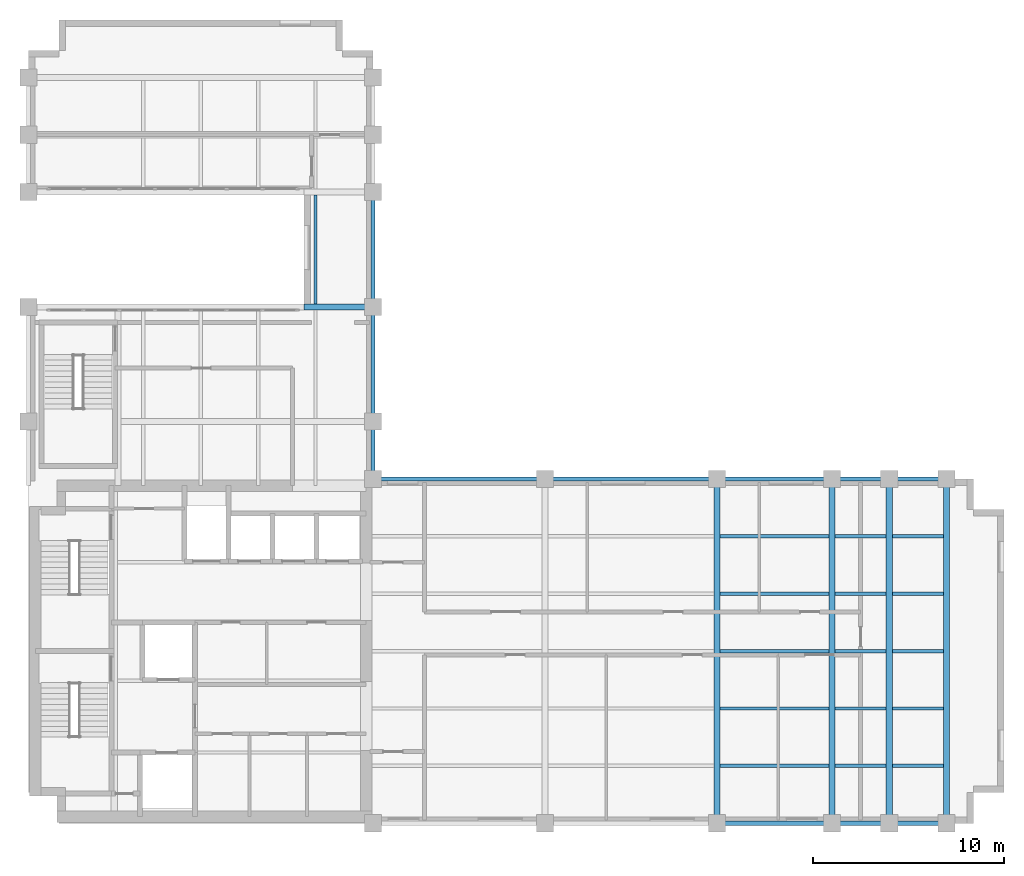
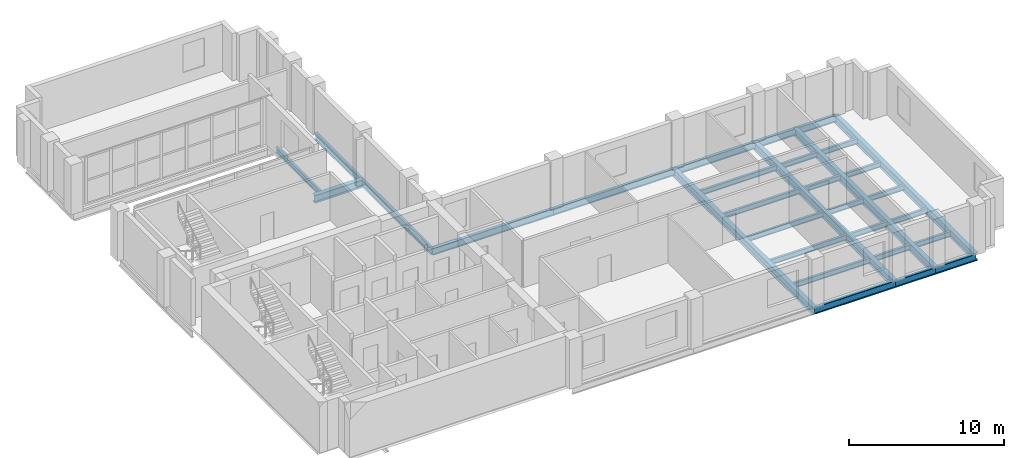
# One storey, part 3 of 9: 32 beams.
"""IFC4 building model written with IfcOpenShell, lengths in metres."""

from ifc_helpers import new_model, si_unit, direction, frame, origin, origin_2d, place, context, subcontext, project, spatial, i_section, extrude, material, material_profile, profile_set, type_object, element, save


model = new_model("IFC4")

# Units and contexts
model_context = context("Model", 3, precision=1e-05, world=origin(), true_north=direction((0.0, 1.0)))
body_context = subcontext(model_context, "Body", "Model", "MODEL_VIEW")
ifc_project = project(units=[si_unit("LENGTHUNIT", "METRE"), si_unit("AREAUNIT", "SQUARE_METRE"), si_unit("VOLUMEUNIT", "CUBIC_METRE"), si_unit("PLANEANGLEUNIT", "RADIAN"), si_unit("MASSUNIT", "GRAM", prefix="KILO")], contexts=[model_context])

# Site, building, storey
site_placement = place(None, origin())
site = spatial("IfcSite", under=ifc_project, at=site_placement, CompositionType="ELEMENT")
building_placement = place(site_placement, origin())
building = spatial("IfcBuilding", under=site, at=building_placement, Name="Mawjdan Bourse Tower", CompositionType="ELEMENT")
storey_placement = place(building_placement, frame((0.0, 0.0, 195.60009765625)))
storey = spatial("IfcBuildingStorey", under=building, at=storey_placement, Name="L47", CompositionType="ELEMENT", Elevation=195.60009765625)

# Beams
ifc_material = material(Name="Structural Steel S355", Category="steel")
ifc_material_profile_1 = material_profile(ifc_material, i_section(OverallWidth=0.324951171875, OverallDepth=0.616943359375, WebThickness=0.013916015625, FlangeThickness=0.021484375, FilletRadius=0.017333984375, at=origin_2d()), Name="W24X117")
ifc_profile_set_1 = profile_set([ifc_material_profile_1], Name="Structural Steel S355")
beam_type_1 = type_object("IfcBeamType", Name="GRD-W24X117", PredefinedType="BEAM", material=ifc_profile_set_1)
for number, where, z_axis, x_axis, name in (
    (1, (42.0, 3.0, -0.508544921875), (0.0, 1.0, 0.0), (-1.0, 0.0, 0.0), "L47 East Wing Clear-Span Girder 003"),
    (2, (48.0, 3.0, -0.508544921875), (0.0, 1.0, 0.0), (-1.0, 0.0, 0.0), "L47 East Wing Clear-Span Girder 004"),
    (3, (51.0, 3.0, -0.508544921875), (0.0, 1.0, 0.0), (-1.0, 0.0, 0.0), "L47 East Wing Clear-Span Girder 005"),
    (4, (54.0, 3.0, -0.508544921875), (0.0, 1.0, 0.0), (-1.0, 0.0, 0.0), "L47 East Wing Clear-Span Girder 006"),
):
    element("IfcBeam", number, at=place(storey_placement, frame(where, z_axis=z_axis, x_axis=x_axis)), inside=storey, type_object=beam_type_1, Name=name, PredefinedType="BEAM", context=body_context, shape_type="SweptSolid", body=[
        extrude(i_section(OverallWidth=0.324951171875, OverallDepth=0.616943359375, WebThickness=0.013916015625, FlangeThickness=0.021484375, FilletRadius=0.017333984375, at=origin_2d()), origin(), (0.0, 0.0, 1.0), 18.0),
    ])
beam_1_placement = place(storey_placement, frame((20.39990234375, 30.0, -0.508544921875), z_axis=(1.0, 0.0, 0.0), x_axis=(0.0, 1.0, 0.0)))
element("IfcBeam", 5, at=beam_1_placement, inside=storey, type_object=beam_type_1, Name="L47 North Wing Clear-Span Girder 049", PredefinedType="BEAM", context=body_context, shape_type="SweptSolid", body=[
    extrude(i_section(OverallWidth=0.324951171875, OverallDepth=0.616943359375, WebThickness=0.013916015625, FlangeThickness=0.021484375, FilletRadius=0.017333984375, at=origin_2d()), origin(), (0.0, 0.0, 1.0), 3.60009765625),
])
ifc_material_profile_2 = material_profile(ifc_material, i_section(OverallWidth=0.177978515625, OverallDepth=0.406982421875, WebThickness=0.0078125, FlangeThickness=0.0126953125, FilletRadius=0.01025390625, at=origin_2d()), Name="W16X40")
ifc_profile_set_2 = profile_set([ifc_material_profile_2], Name="Structural Steel S355")
beam_type_2 = type_object("IfcBeamType", Name="JST-W16X40", PredefinedType="JOIST", material=ifc_profile_set_2)
beam_2_placement = place(storey_placement, frame((42.160400390625, 6.0, -0.403564453125), z_axis=(1.0, 0.0, 0.0), x_axis=(0.0, 1.0, 0.0)))
element("IfcBeam", 6, at=beam_2_placement, inside=storey, type_object=beam_type_2, Name="L47 East Wing Composite Joist 019", PredefinedType="JOIST", context=body_context, shape_type="SweptSolid", body=[
    extrude(i_section(OverallWidth=0.177978515625, OverallDepth=0.406982421875, WebThickness=0.0078125, FlangeThickness=0.0126953125, FilletRadius=0.01025390625, at=origin_2d()), origin(), (0.0, 0.0, 1.0), 5.67919921875),
])
for number, where, z_axis, x_axis, name in (
    (7, (48.160400390625, 6.0, -0.403564453125), (1.0, 0.0, 0.0), (0.0, 1.0, 0.0), "L47 East Wing Composite Joist 020"),
    (8, (51.160400390625, 6.0, -0.403564453125), (1.0, 0.0, 0.0), (0.0, 1.0, 0.0), "L47 East Wing Composite Joist 021"),
):
    element("IfcBeam", number, at=place(storey_placement, frame(where, z_axis=z_axis, x_axis=x_axis)), inside=storey, type_object=beam_type_2, Name=name, PredefinedType="JOIST", context=body_context, shape_type="SweptSolid", body=[
        extrude(i_section(OverallWidth=0.177978515625, OverallDepth=0.406982421875, WebThickness=0.0078125, FlangeThickness=0.0126953125, FilletRadius=0.01025390625, at=origin_2d()), origin(), (0.0, 0.0, 1.0), 2.67919921875),
    ])
beam_3_placement = place(storey_placement, frame((42.160400390625, 9.0, -0.403564453125), z_axis=(1.0, 0.0, 0.0), x_axis=(0.0, 1.0, 0.0)))
element("IfcBeam", 9, at=beam_3_placement, inside=storey, type_object=beam_type_2, Name="L47 East Wing Composite Joist 024", PredefinedType="JOIST", context=body_context, shape_type="SweptSolid", body=[
    extrude(i_section(OverallWidth=0.177978515625, OverallDepth=0.406982421875, WebThickness=0.0078125, FlangeThickness=0.0126953125, FilletRadius=0.01025390625, at=origin_2d()), origin(), (0.0, 0.0, 1.0), 5.67919921875),
])
for number, where, z_axis, x_axis, name in (
    (10, (48.160400390625, 9.0, -0.403564453125), (1.0, 0.0, 0.0), (0.0, 1.0, 0.0), "L47 East Wing Composite Joist 025"),
    (11, (51.160400390625, 9.0, -0.403564453125), (1.0, 0.0, 0.0), (0.0, 1.0, 0.0), "L47 East Wing Composite Joist 026"),
):
    element("IfcBeam", number, at=place(storey_placement, frame(where, z_axis=z_axis, x_axis=x_axis)), inside=storey, type_object=beam_type_2, Name=name, PredefinedType="JOIST", context=body_context, shape_type="SweptSolid", body=[
        extrude(i_section(OverallWidth=0.177978515625, OverallDepth=0.406982421875, WebThickness=0.0078125, FlangeThickness=0.0126953125, FilletRadius=0.01025390625, at=origin_2d()), origin(), (0.0, 0.0, 1.0), 2.67919921875),
    ])
beam_4_placement = place(storey_placement, frame((42.160400390625, 12.0, -0.403564453125), z_axis=(1.0, 0.0, 0.0), x_axis=(0.0, 1.0, 0.0)))
element("IfcBeam", 12, at=beam_4_placement, inside=storey, type_object=beam_type_2, Name="L47 East Wing Composite Joist 029", PredefinedType="JOIST", context=body_context, shape_type="SweptSolid", body=[
    extrude(i_section(OverallWidth=0.177978515625, OverallDepth=0.406982421875, WebThickness=0.0078125, FlangeThickness=0.0126953125, FilletRadius=0.01025390625, at=origin_2d()), origin(), (0.0, 0.0, 1.0), 5.67919921875),
])
for number, where, z_axis, x_axis, name in (
    (13, (48.160400390625, 12.0, -0.403564453125), (1.0, 0.0, 0.0), (0.0, 1.0, 0.0), "L47 East Wing Composite Joist 030"),
    (14, (51.160400390625, 12.0, -0.403564453125), (1.0, 0.0, 0.0), (0.0, 1.0, 0.0), "L47 East Wing Composite Joist 031"),
):
    element("IfcBeam", number, at=place(storey_placement, frame(where, z_axis=z_axis, x_axis=x_axis)), inside=storey, type_object=beam_type_2, Name=name, PredefinedType="JOIST", context=body_context, shape_type="SweptSolid", body=[
        extrude(i_section(OverallWidth=0.177978515625, OverallDepth=0.406982421875, WebThickness=0.0078125, FlangeThickness=0.0126953125, FilletRadius=0.01025390625, at=origin_2d()), origin(), (0.0, 0.0, 1.0), 2.67919921875),
    ])
beam_5_placement = place(storey_placement, frame((42.160400390625, 15.0, -0.403564453125), z_axis=(1.0, 0.0, 0.0), x_axis=(0.0, 1.0, 0.0)))
element("IfcBeam", 15, at=beam_5_placement, inside=storey, type_object=beam_type_2, Name="L47 East Wing Composite Joist 034", PredefinedType="JOIST", context=body_context, shape_type="SweptSolid", body=[
    extrude(i_section(OverallWidth=0.177978515625, OverallDepth=0.406982421875, WebThickness=0.0078125, FlangeThickness=0.0126953125, FilletRadius=0.01025390625, at=origin_2d()), origin(), (0.0, 0.0, 1.0), 5.67919921875),
])
for number, where, z_axis, x_axis, name in (
    (16, (48.160400390625, 15.0, -0.403564453125), (1.0, 0.0, 0.0), (0.0, 1.0, 0.0), "L47 East Wing Composite Joist 035"),
    (17, (51.160400390625, 15.0, -0.403564453125), (1.0, 0.0, 0.0), (0.0, 1.0, 0.0), "L47 East Wing Composite Joist 036"),
):
    element("IfcBeam", number, at=place(storey_placement, frame(where, z_axis=z_axis, x_axis=x_axis)), inside=storey, type_object=beam_type_2, Name=name, PredefinedType="JOIST", context=body_context, shape_type="SweptSolid", body=[
        extrude(i_section(OverallWidth=0.177978515625, OverallDepth=0.406982421875, WebThickness=0.0078125, FlangeThickness=0.0126953125, FilletRadius=0.01025390625, at=origin_2d()), origin(), (0.0, 0.0, 1.0), 2.67919921875),
    ])
beam_6_placement = place(storey_placement, frame((42.160400390625, 18.0, -0.403564453125), z_axis=(1.0, 0.0, 0.0), x_axis=(0.0, 1.0, 0.0)))
element("IfcBeam", 18, at=beam_6_placement, inside=storey, type_object=beam_type_2, Name="L47 East Wing Composite Joist 039", PredefinedType="JOIST", context=body_context, shape_type="SweptSolid", body=[
    extrude(i_section(OverallWidth=0.177978515625, OverallDepth=0.406982421875, WebThickness=0.0078125, FlangeThickness=0.0126953125, FilletRadius=0.01025390625, at=origin_2d()), origin(), (0.0, 0.0, 1.0), 5.67919921875),
])
for number, where, z_axis, x_axis, name in (
    (19, (48.160400390625, 18.0, -0.403564453125), (1.0, 0.0, 0.0), (0.0, 1.0, 0.0), "L47 East Wing Composite Joist 040"),
    (20, (51.160400390625, 18.0, -0.403564453125), (1.0, 0.0, 0.0), (0.0, 1.0, 0.0), "L47 East Wing Composite Joist 041"),
):
    element("IfcBeam", number, at=place(storey_placement, frame(where, z_axis=z_axis, x_axis=x_axis)), inside=storey, type_object=beam_type_2, Name=name, PredefinedType="JOIST", context=body_context, shape_type="SweptSolid", body=[
        extrude(i_section(OverallWidth=0.177978515625, OverallDepth=0.406982421875, WebThickness=0.0078125, FlangeThickness=0.0126953125, FilletRadius=0.01025390625, at=origin_2d()), origin(), (0.0, 0.0, 1.0), 2.67919921875),
    ])
beam_7_placement = place(storey_placement, frame((21.0, 30.160400390625, -0.403564453125), z_axis=(0.0, 1.0, 0.0), x_axis=(-1.0, 0.0, 0.0)))
element("IfcBeam", 21, at=beam_7_placement, inside=storey, type_object=beam_type_2, Name="L47 North Wing Composite Joist 077", PredefinedType="JOIST", context=body_context, shape_type="SweptSolid", body=[
    extrude(i_section(OverallWidth=0.177978515625, OverallDepth=0.406982421875, WebThickness=0.0078125, FlangeThickness=0.0126953125, FilletRadius=0.01025390625, at=origin_2d()), origin(), (0.0, 0.0, 1.0), 5.67919921875),
])
ifc_material_profile_3 = material_profile(ifc_material, i_section(OverallWidth=0.2119140625, OverallDepth=0.5439453125, WebThickness=0.01318359375, FlangeThickness=0.021240234375, FilletRadius=0.01708984375, at=origin_2d()), Name="W21X83")
ifc_profile_set_3 = profile_set([ifc_material_profile_3], Name="Structural Steel S355")
beam_type_3 = type_object("IfcBeamType", Name="SPN-W21X83", PredefinedType="SPANDREL", material=ifc_profile_set_3)
beam_8_placement = place(storey_placement, frame((42.0, 3.0, -0.47216796875), z_axis=(1.0, 0.0, 0.0), x_axis=(0.0, 1.0, 0.0)))
element("IfcBeam", 22, at=beam_8_placement, inside=storey, type_object=beam_type_3, Name="L47 Perimeter Masonry-Shelf Spandrel 009", PredefinedType="SPANDREL", context=body_context, shape_type="SweptSolid", body=[
    extrude(i_section(OverallWidth=0.2119140625, OverallDepth=0.5439453125, WebThickness=0.01318359375, FlangeThickness=0.021240234375, FilletRadius=0.01708984375, at=origin_2d()), origin(), (0.0, 0.0, 1.0), 6.0),
])
for number, where, z_axis, x_axis, name in (
    (23, (48.0, 3.0, -0.47216796875), (1.0, 0.0, 0.0), (0.0, 1.0, 0.0), "L47 Perimeter Masonry-Shelf Spandrel 010"),
    (24, (51.0, 3.0, -0.47216796875), (1.0, 0.0, 0.0), (0.0, 1.0, 0.0), "L47 Perimeter Masonry-Shelf Spandrel 011"),
):
    element("IfcBeam", number, at=place(storey_placement, frame(where, z_axis=z_axis, x_axis=x_axis)), inside=storey, type_object=beam_type_3, Name=name, PredefinedType="SPANDREL", context=body_context, shape_type="SweptSolid", body=[
        extrude(i_section(OverallWidth=0.2119140625, OverallDepth=0.5439453125, WebThickness=0.01318359375, FlangeThickness=0.021240234375, FilletRadius=0.01708984375, at=origin_2d()), origin(), (0.0, 0.0, 1.0), 3.0),
    ])
for number, where, z_axis, x_axis, name in (
    (25, (24.0, 21.0, -0.47216796875), (1.0, 0.0, 0.0), (0.0, 1.0, 0.0), "L47 Perimeter Masonry-Shelf Spandrel 012"),
    (26, (33.0, 21.0, -0.47216796875), (1.0, 0.0, 0.0), (0.0, 1.0, 0.0), "L47 Perimeter Masonry-Shelf Spandrel 013"),
):
    element("IfcBeam", number, at=place(storey_placement, frame(where, z_axis=z_axis, x_axis=x_axis)), inside=storey, type_object=beam_type_3, Name=name, PredefinedType="SPANDREL", context=body_context, shape_type="SweptSolid", body=[
        extrude(i_section(OverallWidth=0.2119140625, OverallDepth=0.5439453125, WebThickness=0.01318359375, FlangeThickness=0.021240234375, FilletRadius=0.01708984375, at=origin_2d()), origin(), (0.0, 0.0, 1.0), 9.0),
    ])
beam_9_placement = place(storey_placement, frame((42.0, 21.0, -0.47216796875), z_axis=(1.0, 0.0, 0.0), x_axis=(0.0, 1.0, 0.0)))
element("IfcBeam", 27, at=beam_9_placement, inside=storey, type_object=beam_type_3, Name="L47 Perimeter Masonry-Shelf Spandrel 014", PredefinedType="SPANDREL", context=body_context, shape_type="SweptSolid", body=[
    extrude(i_section(OverallWidth=0.2119140625, OverallDepth=0.5439453125, WebThickness=0.01318359375, FlangeThickness=0.021240234375, FilletRadius=0.01708984375, at=origin_2d()), origin(), (0.0, 0.0, 1.0), 6.0),
])
for number, where, z_axis, x_axis, name in (
    (28, (48.0, 21.0, -0.47216796875), (1.0, 0.0, 0.0), (0.0, 1.0, 0.0), "L47 Perimeter Masonry-Shelf Spandrel 015"),
    (29, (51.0, 21.0, -0.47216796875), (1.0, 0.0, 0.0), (0.0, 1.0, 0.0), "L47 Perimeter Masonry-Shelf Spandrel 016"),
    (30, (24.0, 21.0, -0.47216796875), (0.0, 1.0, 0.0), (-1.0, 0.0, 0.0), "L47 North Wing Spandrel 058"),
):
    element("IfcBeam", number, at=place(storey_placement, frame(where, z_axis=z_axis, x_axis=x_axis)), inside=storey, type_object=beam_type_3, Name=name, PredefinedType="SPANDREL", context=body_context, shape_type="SweptSolid", body=[
        extrude(i_section(OverallWidth=0.2119140625, OverallDepth=0.5439453125, WebThickness=0.01318359375, FlangeThickness=0.021240234375, FilletRadius=0.01708984375, at=origin_2d()), origin(), (0.0, 0.0, 1.0), 3.0),
    ])
for number, where, z_axis, x_axis, name in (
    (31, (24.0, 24.0, -0.47216796875), (0.0, 1.0, 0.0), (-1.0, 0.0, 0.0), "L47 North Wing Spandrel 059"),
    (32, (24.0, 30.0, -0.47216796875), (0.0, 1.0, 0.0), (-1.0, 0.0, 0.0), "L47 North Wing Spandrel 060"),
):
    element("IfcBeam", number, at=place(storey_placement, frame(where, z_axis=z_axis, x_axis=x_axis)), inside=storey, type_object=beam_type_3, Name=name, PredefinedType="SPANDREL", context=body_context, shape_type="SweptSolid", body=[
        extrude(i_section(OverallWidth=0.2119140625, OverallDepth=0.5439453125, WebThickness=0.01318359375, FlangeThickness=0.021240234375, FilletRadius=0.01708984375, at=origin_2d()), origin(), (0.0, 0.0, 1.0), 6.0),
    ])

save(model, "model.ifc")
